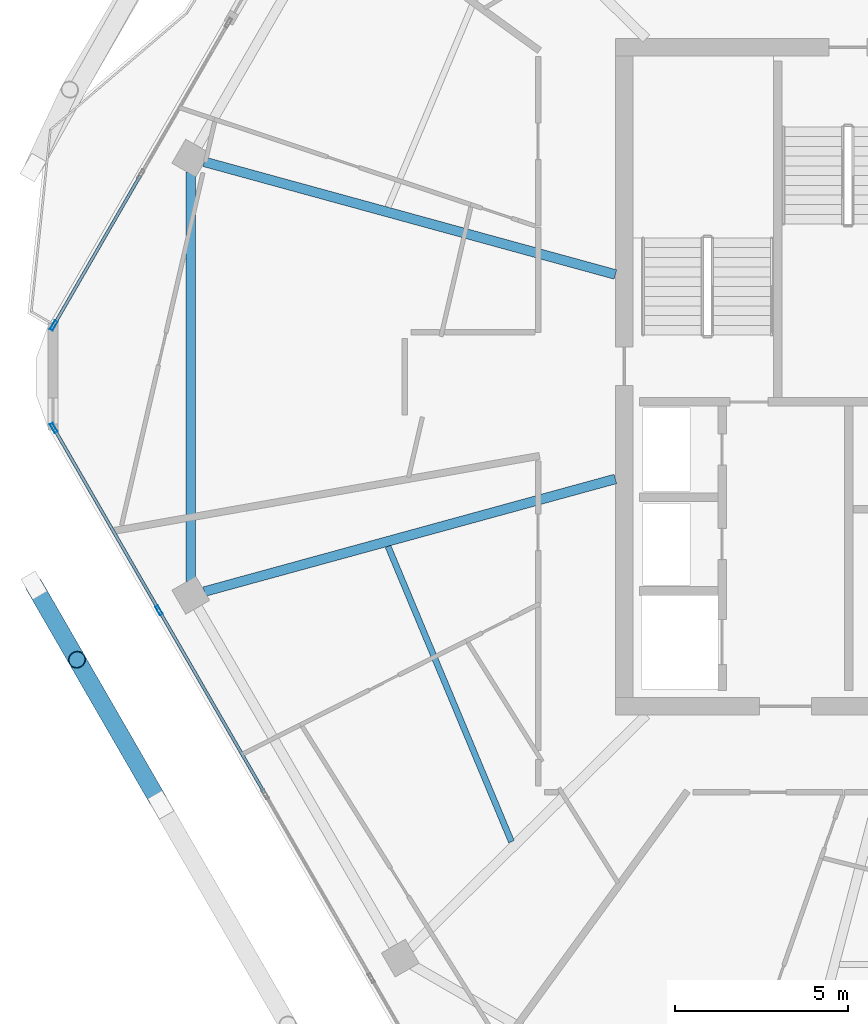
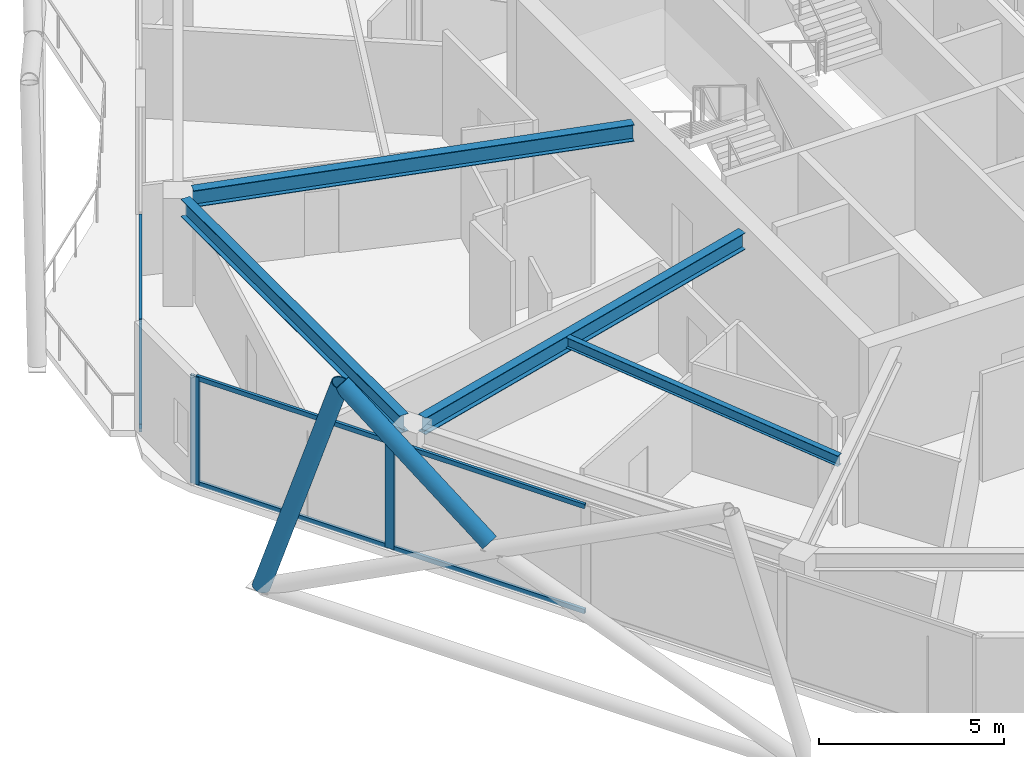
# One storey, part 5 of 23: 11 members, 4 beams, 2 elements without a shape of their own.
"""IFC4 building model written with IfcOpenShell, lengths in metres."""

from ifc_helpers import new_model, si_unit, direction, frame, origin, origin_2d, place, context, subcontext, project, spatial, hollow_rectangle, hollow_circle, i_section, extrude, material, material_profile, profile_set, type_object, element, aggregate, save


model = new_model("IFC4")

# Units and contexts
model_context = context("Model", 3, precision=1e-05, world=origin(), true_north=direction((0.0, 1.0)))
body_context = subcontext(model_context, "Body", "Model", "MODEL_VIEW")
ifc_project = project(units=[si_unit("LENGTHUNIT", "METRE"), si_unit("AREAUNIT", "SQUARE_METRE"), si_unit("VOLUMEUNIT", "CUBIC_METRE"), si_unit("PLANEANGLEUNIT", "RADIAN"), si_unit("MASSUNIT", "GRAM", prefix="KILO")], contexts=[model_context])

# Site, building, storey
site_placement = place(None, origin())
site = spatial("IfcSite", under=ifc_project, at=site_placement, CompositionType="ELEMENT")
building_placement = place(site_placement, origin())
building = spatial("IfcBuilding", under=site, at=building_placement, Name="Zuhravey Tower", CompositionType="ELEMENT")
storey_placement = place(building_placement, frame((0.0, 0.0, 315.800048828125)))
storey = spatial("IfcBuildingStorey", under=building, at=storey_placement, Name="L80", CompositionType="ELEMENT", Elevation=315.800048828125)

# Curtain wall, members
ifc_material_1 = material(Name="Thermally broken anodised aluminium", Category="aluminium")
curtain_wall_type = type_object("IfcCurtainWallType", Name="Zone 3-4 High-Rise Curtain Wall CW4", PredefinedType="NOTDEFINED", material=ifc_material_1)
curtain_wall_1_placement = place(storey_placement, origin())
curtain_wall_1 = element("IfcCurtainWall", 1, at=curtain_wall_1_placement, inside=storey, type_object=curtain_wall_type, Name="L80 CW4 CW-L80-F4-1", PredefinedType="NOTDEFINED")
ifc_material_2 = material(Name="Anodised aluminium", Category="aluminium")
ifc_material_profile_1 = material_profile(ifc_material_2, hollow_rectangle(XDim=0.090087890625, YDim=0.284912109375, WallThickness=0.0048828125, at=origin_2d()), Name="ALU-RHS-90x285x5")
ifc_profile_set_1 = profile_set([ifc_material_profile_1], Name="Anodised aluminium")
member_type_1 = type_object("IfcMemberType", Name="Curtain-Wall Mullion 90x180", PredefinedType="MULLION", material=ifc_profile_set_1)
member_1_placement = place(storey_placement, frame((12.09130859375, 25.2626953125, 0.0), z_axis=(0.0, 0.0, 1.0), x_axis=(-0.866025511541, -0.49999981336, 0.0)))
member_1 = element("IfcMember", 2, at=member_1_placement, type_object=member_type_1, Name="CW4 mullion 4", PredefinedType="MULLION", context=body_context, shape_type="SweptSolid", body=[
    extrude(hollow_rectangle(XDim=0.090087890625, YDim=0.284912109375, WallThickness=0.0048828125, at=origin_2d()), origin(), (0.0, 0.0, 1.0), 3.550048828125),
])
member_2_placement = place(storey_placement, frame((9.05419921875, 30.5234375, 0.0), z_axis=(0.0, 0.0, 1.0), x_axis=(-0.866025511541, -0.49999981336, 0.0)))
member_2 = element("IfcMember", 3, at=member_2_placement, type_object=member_type_1, Name="CW4 mullion 5", PredefinedType="MULLION", context=body_context, shape_type="SweptSolid", body=[
    extrude(hollow_rectangle(XDim=0.090087890625, YDim=0.284912109375, WallThickness=0.0048828125, at=origin_2d()), origin(), (0.0, 0.0, 1.0), 3.550048828125),
])

# Curtain wall, member
curtain_wall_2_placement = place(storey_placement, origin())
curtain_wall_2 = element("IfcCurtainWall", 4, at=curtain_wall_2_placement, inside=storey, type_object=curtain_wall_type, Name="L80 CW4 CW-L80-F3-1", PredefinedType="NOTDEFINED")
member_3_placement = place(storey_placement, frame((9.05419921875, 33.4765625, 0.0), z_axis=(0.0, 0.0, 1.0), x_axis=(-0.866026853495, 0.499997489019, 0.0)))
member_3 = element("IfcMember", 5, at=member_3_placement, type_object=member_type_1, Name="CW4 mullion 1", PredefinedType="MULLION", context=body_context, shape_type="SweptSolid", body=[
    extrude(hollow_rectangle(XDim=0.090087890625, YDim=0.284912109375, WallThickness=0.0048828125, at=origin_2d()), origin(), (0.0, 0.0, 1.0), 3.550048828125),
])

# Member
ifc_material_profile_2 = material_profile(ifc_material_2, hollow_rectangle(XDim=0.090087890625, YDim=0.14990234375, WallThickness=0.0048828125, at=origin_2d()), Name="ALU-RHS-90x150x5")
ifc_profile_set_2 = profile_set([ifc_material_profile_2], Name="Anodised aluminium")
member_type_2 = type_object("IfcMemberType", Name="Curtain-Wall Transom 90x150", PredefinedType="USERDEFINED", material=ifc_profile_set_2)
member_4_placement = place(storey_placement, frame((15.128662109375, 20.001953125, 0.044921875), z_axis=(-0.499988837749, 0.866031848217, 0.0), x_axis=(-0.866031848217, -0.499988837749, 0.0)))
member_4 = element("IfcMember", 6, at=member_4_placement, type_object=member_type_2, Name="CW4 transom 3.1", ObjectType="TRANSOM", PredefinedType="USERDEFINED", context=body_context, shape_type="SweptSolid", body=[
    extrude(hollow_rectangle(XDim=0.090087890625, YDim=0.14990234375, WallThickness=0.0048828125, at=origin_2d()), origin(), (0.0, 0.0, 1.0), 6.029541015625),
])

member_5_placement = place(storey_placement, frame((15.128662109375, 20.001953125, 3.5048828125), z_axis=(-0.499988837749, 0.866031848217, 0.0), x_axis=(-0.866031848217, -0.499988837749, 0.0)))
member_5 = element("IfcMember", 7, at=member_5_placement, type_object=member_type_2, Name="CW4 transom 3.2", ObjectType="TRANSOM", PredefinedType="USERDEFINED", context=body_context, shape_type="SweptSolid", body=[
    extrude(hollow_rectangle(XDim=0.090087890625, YDim=0.14990234375, WallThickness=0.0048828125, at=origin_2d()), origin(), (0.0, 0.0, 1.0), 6.029541015625),
])

member_6_placement = place(storey_placement, frame((12.06884765625, 25.3017578125, 0.044921875), z_axis=(-0.499982594807, 0.866035452444, 0.0), x_axis=(-0.866035452444, -0.499982594807, 0.0)))
member_6 = element("IfcMember", 8, at=member_6_placement, type_object=member_type_2, Name="CW4 transom 4.1", ObjectType="TRANSOM", PredefinedType="USERDEFINED", context=body_context, shape_type="SweptSolid", body=[
    extrude(hollow_rectangle(XDim=0.090087890625, YDim=0.14990234375, WallThickness=0.0048828125, at=origin_2d()), origin(), (0.0, 0.0, 1.0), 5.984619140625),
])

member_7_placement = place(storey_placement, frame((12.06884765625, 25.3017578125, 3.5048828125), z_axis=(-0.499982594807, 0.866035452444, 0.0), x_axis=(-0.866035452444, -0.499982594807, 0.0)))
member_7 = element("IfcMember", 9, at=member_7_placement, type_object=member_type_2, Name="CW4 transom 4.2", ObjectType="TRANSOM", PredefinedType="USERDEFINED", context=body_context, shape_type="SweptSolid", body=[
    extrude(hollow_rectangle(XDim=0.090087890625, YDim=0.14990234375, WallThickness=0.0048828125, at=origin_2d()), origin(), (0.0, 0.0, 1.0), 5.984619140625),
])

aggregate(curtain_wall_1, [member_1, member_2, member_4, member_5, member_6, member_7])

member_8_placement = place(storey_placement, frame((9.07666015625, 33.515380859375, 0.044921875), z_axis=(0.499975874669, 0.866039332103, 0.0), x_axis=(-0.866039332103, 0.499975874669, 0.0)))
member_8 = element("IfcMember", 10, at=member_8_placement, type_object=member_type_2, Name="CW4 transom 1.1", ObjectType="TRANSOM", PredefinedType="USERDEFINED", context=body_context, shape_type="SweptSolid", body=[
    extrude(hollow_rectangle(XDim=0.090087890625, YDim=0.14990234375, WallThickness=0.0048828125, at=origin_2d()), origin(), (0.0, 0.0, 1.0), 4.947998046875),
])

member_9_placement = place(storey_placement, frame((9.07666015625, 33.515380859375, 3.5048828125), z_axis=(0.499975874669, 0.866039332103, 0.0), x_axis=(-0.866039332103, 0.499975874669, 0.0)))
member_9 = element("IfcMember", 11, at=member_9_placement, type_object=member_type_2, Name="CW4 transom 1.2", ObjectType="TRANSOM", PredefinedType="USERDEFINED", context=body_context, shape_type="SweptSolid", body=[
    extrude(hollow_rectangle(XDim=0.090087890625, YDim=0.14990234375, WallThickness=0.0048828125, at=origin_2d()), origin(), (0.0, 0.0, 1.0), 4.947998046875),
])

aggregate(curtain_wall_2, [member_3, member_8, member_9])

# Members
ifc_material_3 = material(Name="Steel SM355", Category="steel")
ifc_material_profile_3 = material_profile(ifc_material_3, hollow_circle(Radius=0.25390625, WallThickness=0.02490234375, at=origin_2d()), Name="CHS-508.0x25")
ifc_profile_set_3 = profile_set([ifc_material_profile_3], Name="Steel SM355")
member_type_3 = type_object("IfcMemberType", Name="Exoskeleton Zone 4 Diagrid CHS508x25", PredefinedType="BRACE", material=ifc_profile_set_3)
member_10_placement = place(storey_placement, frame((8.489013671875, 25.982421875, -0.447998046875), z_axis=(0.155232250241, -0.2688504816, 0.950590535945), x_axis=(0.866009569118, 0.500027425445, 0.0)))
element("IfcMember", 12, at=member_10_placement, inside=storey, type_object=member_type_3, Name="L80 Face 4 Diagrid Brace 1", PredefinedType="BRACE", context=body_context, shape_type="SweptSolid", body=[
    extrude(hollow_circle(Radius=0.25390625, WallThickness=0.02490234375, at=origin_2d()), origin(), (0.0, 0.0, 1.0), 7.961181640625),
])
member_11_placement = place(storey_placement, frame((12.044677734375, 19.82373046875, 3.48681640625), z_axis=(-0.39284137285, 0.680436561875, 0.618612755317), x_axis=(-0.866030286288, -0.49999154316, 0.0)))
element("IfcMember", 13, at=member_11_placement, inside=storey, type_object=member_type_3, Name="L80 Face 4 Split Diagrid Brace 3B", PredefinedType="BRACE", context=body_context, shape_type="SweptSolid", body=[
    extrude(hollow_circle(Radius=0.25390625, WallThickness=0.02490234375, at=origin_2d()), origin(), (0.0, 0.0, 1.0), 5.8642578125),
])

# Beams
ifc_material_profile_4 = material_profile(ifc_material_3, i_section(OverallWidth=0.280029296875, OverallDepth=0.580078125, WebThickness=0.011962890625, FlangeThickness=0.01904296875, at=origin_2d()), Name="H-580x280x12x19")
ifc_profile_set_4 = profile_set([ifc_material_profile_4], Name="Steel SM355")
beam_type_1 = type_object("IfcBeamType", Name="Perimeter Ring Beam H580x280", PredefinedType="BEAM", material=ifc_profile_set_4)
beam_1_placement = place(storey_placement, frame((13.006591796875, 37.8994140625, 3.260009765625), z_axis=(0.0, -1.0, 0.0), x_axis=(1.0, 0.0, 0.0)))
element("IfcBeam", 14, at=beam_1_placement, inside=storey, type_object=beam_type_1, Name="L80 PB4 BM-L80-PB-06", PredefinedType="BEAM", context=body_context, shape_type="SweptSolid", body=[
    extrude(i_section(OverallWidth=0.280029296875, OverallDepth=0.580078125, WebThickness=0.011962890625, FlangeThickness=0.01904296875, at=origin_2d()), origin(), (0.0, 0.0, 1.0), 11.798828125),
])
ifc_material_profile_5 = material_profile(ifc_material_3, i_section(OverallWidth=0.280029296875, OverallDepth=0.550048828125, WebThickness=0.010986328125, FlangeThickness=0.01806640625, at=origin_2d()), Name="H-550x280x11x18")
ifc_profile_set_5 = profile_set([ifc_material_profile_5], Name="Steel SM355")
beam_type_2 = type_object("IfcBeamType", Name="Radial Primary Girder H550x280", PredefinedType="BEAM", material=ifc_profile_set_5)
for number, where, z_axis, x_axis, name in (
    (15, (25.2470703125, 34.947265625, 3.27490234375), (-0.964427903067, 0.264346022829, 0.0), (-0.264346022829, -0.964427903067, 0.0), "L80 RG4 BM-L80-RAD-06"),
    (16, (25.2470703125, 29.052734375, 3.27490234375), (-0.964427903067, -0.264346022829, 0.0), (0.264346022829, -0.964427903067, 0.0), "L80 RG4 BM-L80-RAD-07"),
):
    element("IfcBeam", number, at=place(storey_placement, frame(where, z_axis=z_axis, x_axis=x_axis)), inside=storey, type_object=beam_type_2, Name=name, PredefinedType="BEAM", context=body_context, shape_type="SweptSolid", body=[
        extrude(i_section(OverallWidth=0.280029296875, OverallDepth=0.550048828125, WebThickness=0.010986328125, FlangeThickness=0.01806640625, at=origin_2d()), origin(), (0.0, 0.0, 1.0), 12.2890625),
    ])
ifc_material_profile_6 = material_profile(ifc_material_3, i_section(OverallWidth=0.175048828125, OverallDepth=0.35009765625, WebThickness=0.007080078125, FlangeThickness=0.010986328125, at=origin_2d()), Name="H-350x175x7x11")
ifc_profile_set_6 = profile_set([ifc_material_profile_6], Name="Steel SM355")
beam_type_3 = type_object("IfcBeamType", Name="Secondary Floor Joist H350x175", PredefinedType="JOIST", material=ifc_profile_set_6)
beam_2_placement = place(storey_placement, frame((18.692626953125, 27.108154296875, 3.375), z_axis=(0.385657891576, -0.922641853953, 0.0), x_axis=(0.922641853953, 0.385657891576, 0.0)))
element("IfcBeam", 17, at=beam_2_placement, inside=storey, type_object=beam_type_3, Name="L80 SJ3 BM-L80-SJ-07-1", PredefinedType="JOIST", context=body_context, shape_type="SweptSolid", body=[
    extrude(i_section(OverallWidth=0.175048828125, OverallDepth=0.35009765625, WebThickness=0.007080078125, FlangeThickness=0.010986328125, at=origin_2d()), origin(), (0.0, 0.0, 1.0), 9.226806640625),
])

save(model, "model.ifc")
